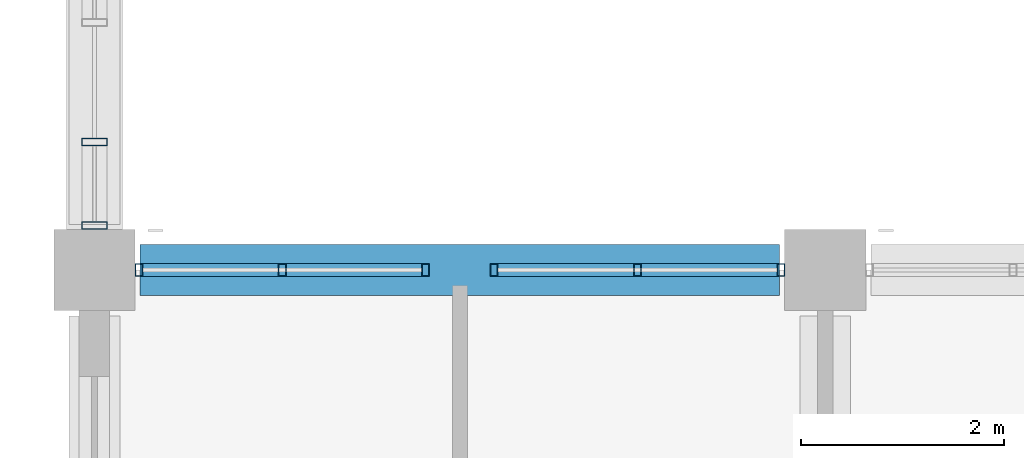
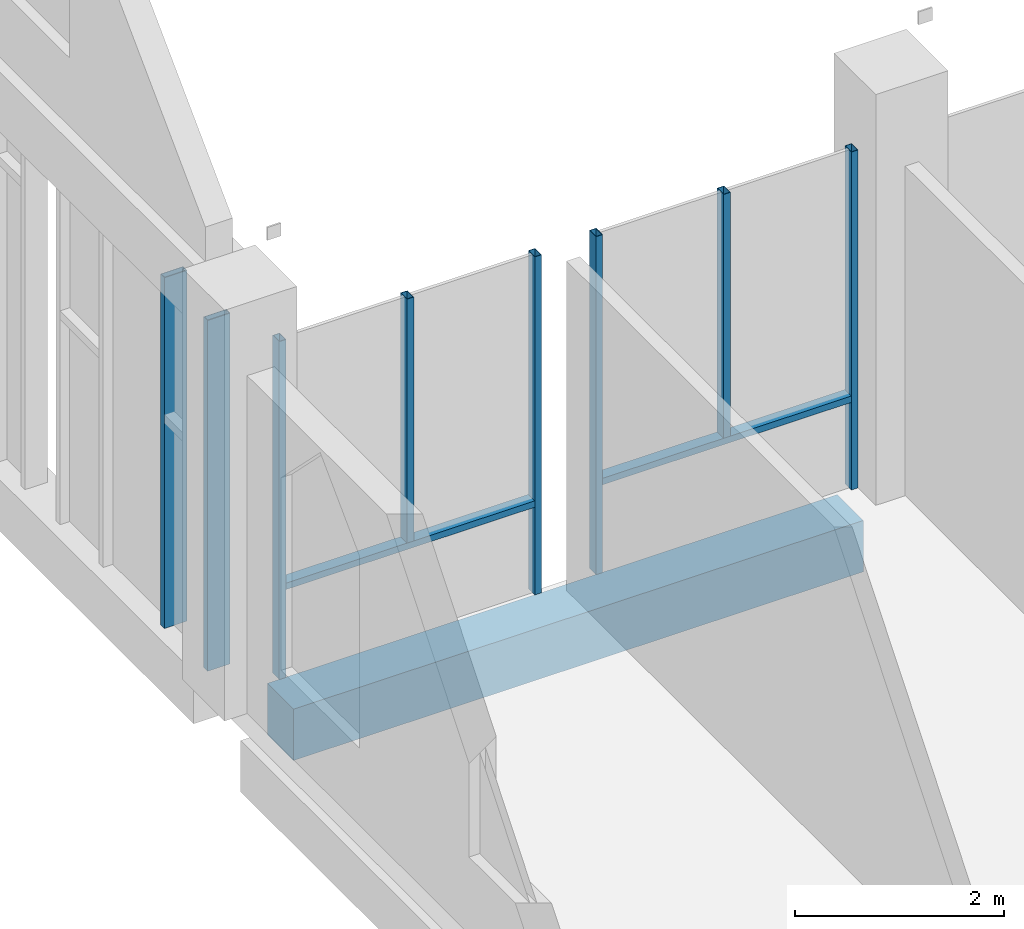
# One storey, part 2 of 31: 10 members, 1 beam, 3 elements without a shape of their own.
"""IFC4 building model written with IfcOpenShell, lengths in metres."""

from ifc_helpers import new_model, si_unit, direction, frame, origin, origin_2d, place, context, subcontext, project, spatial, rectangle, hollow_rectangle, extrude, material, material_profile, profile_set, type_object, element, aggregate, save


model = new_model("IFC4")

# Units and contexts
model_context = context("Model", 3, precision=1e-05, world=origin(), true_north=direction((0.0, 1.0)))
body_context = subcontext(model_context, "Body", "Model", "MODEL_VIEW")
ifc_project = project(units=[si_unit("LENGTHUNIT", "METRE"), si_unit("AREAUNIT", "SQUARE_METRE"), si_unit("VOLUMEUNIT", "CUBIC_METRE"), si_unit("PLANEANGLEUNIT", "RADIAN"), si_unit("MASSUNIT", "GRAM", prefix="KILO")], contexts=[model_context])

# Site, building, storey
site_placement = place(None, origin())
site = spatial("IfcSite", under=ifc_project, at=site_placement, CompositionType="ELEMENT")
building_placement = place(site_placement, origin())
building = spatial("IfcBuilding", under=site, at=building_placement, Name="Silangan Lancet Faculty of Sciences", CompositionType="ELEMENT")
storey_placement = place(building_placement, frame((0.0, 0.0, 36.0)))
storey = spatial("IfcBuildingStorey", under=building, at=storey_placement, Name="L07", CompositionType="ELEMENT", Elevation=36.0)

# Beam
ifc_material_1 = material(Name="Concrete C40/50", Category="concrete")
ifc_material_profile_1 = material_profile(ifc_material_1, rectangle(XDim=0.5, YDim=0.60009765625, at=origin_2d()), Name="RC 500x600")
ifc_profile_set_1 = profile_set([ifc_material_profile_1], Name="Concrete C40/50")
beam_type = type_object("IfcBeamType", Name="BEAM RC 500x600", PredefinedType="BEAM", material=ifc_profile_set_1)
beam_placement = place(storey_placement, frame((0.449951171875, 21.60009765625, -0.550048828125), z_axis=(1.0, 0.0, 0.0), x_axis=(0.0, 1.0, 0.0)))
element("IfcBeam", 1, at=beam_placement, inside=storey, type_object=beam_type, Name="BM-L07-1D-2D", PredefinedType="BEAM", context=body_context, shape_type="SweptSolid", body=[
    extrude(rectangle(XDim=0.5, YDim=0.60009765625, at=origin_2d()), origin(), (0.0, 0.0, 1.0), 6.300048828125),
])

# Curtain wall, members
ifc_material_2 = material(Name="Aluminium framed curtain wall with insulated glass", Category="aluminium")
curtain_wall_type_1 = type_object("IfcCurtainWallType", Name="CW2 Atrium fire-resisting screen", PredefinedType="NOTDEFINED", material=ifc_material_2)
curtain_wall_1_placement = place(storey_placement, origin())
curtain_wall_1 = element("IfcCurtainWall", 2, at=curtain_wall_1_placement, inside=storey, type_object=curtain_wall_type_1, Name="CW2 Atrium south L07 bay 5", PredefinedType="NOTDEFINED")
ifc_material_3 = material(Name="Steel S355J2H", Category="steel")
ifc_material_profile_2 = material_profile(ifc_material_3, hollow_rectangle(XDim=0.074951171875, YDim=0.125, WallThickness=0.0048828125, at=origin_2d()), Name="ST BOX 75x125x5")
ifc_profile_set_2 = profile_set([ifc_material_profile_2], Name="Steel S355J2H")
member_type_1 = type_object("IfcMemberType", Name="CM2 Mullion 75x125", PredefinedType="MULLION", material=ifc_profile_set_2)
member_1_placement = place(storey_placement, frame((6.762451171875, 21.60009765625, 0.0), z_axis=(0.0, 0.0, 1.0), x_axis=(-1.0, 0.0, 0.0)))
member_1 = element("IfcMember", 3, at=member_1_placement, type_object=member_type_1, Name="CW2 Atrium south L07 bay 5 mullion 1", PredefinedType="MULLION", context=body_context, shape_type="SweptSolid", body=[
    extrude(hollow_rectangle(XDim=0.074951171875, YDim=0.125, WallThickness=0.0048828125, at=origin_2d()), origin(), (0.0, 0.0, 1.0), 3.949951171875),
])
member_2_placement = place(storey_placement, frame((3.9375, 21.60009765625, 0.0), z_axis=(0.0, 0.0, 1.0), x_axis=(-1.0, 0.0, 0.0)))
member_2 = element("IfcMember", 4, at=member_2_placement, type_object=member_type_1, Name="CW2 Atrium south L07 bay 5 mullion 2", PredefinedType="MULLION", context=body_context, shape_type="SweptSolid", body=[
    extrude(hollow_rectangle(XDim=0.074951171875, YDim=0.125, WallThickness=0.0048828125, at=origin_2d()), origin(), (0.0, 0.0, 1.0), 3.949951171875),
])
member_3_placement = place(storey_placement, frame((5.35009765625, 21.60009765625, 1.10009765625), z_axis=(0.0, 0.0, 1.0), x_axis=(-1.0, 0.0, 0.0)))
member_3 = element("IfcMember", 5, at=member_3_placement, type_object=member_type_1, Name="CW2 Atrium south L07 bay 5 mullion 3", PredefinedType="MULLION", context=body_context, shape_type="SweptSolid", body=[
    extrude(hollow_rectangle(XDim=0.074951171875, YDim=0.125, WallThickness=0.0048828125, at=origin_2d()), origin(), (0.0, 0.0, 1.0), 2.849853515625),
])

curtain_wall_2_placement = place(storey_placement, origin())
curtain_wall_2 = element("IfcCurtainWall", 6, at=curtain_wall_2_placement, inside=storey, type_object=curtain_wall_type_1, Name="CW2 Atrium south L07 bay 6", PredefinedType="NOTDEFINED")
member_4_placement = place(storey_placement, frame((3.2626953125, 21.60009765625, 0.0), z_axis=(0.0, 0.0, 1.0), x_axis=(-1.0, 0.0, 0.0)))
member_4 = element("IfcMember", 7, at=member_4_placement, type_object=member_type_1, Name="CW2 Atrium south L07 bay 6 mullion 1", PredefinedType="MULLION", context=body_context, shape_type="SweptSolid", body=[
    extrude(hollow_rectangle(XDim=0.074951171875, YDim=0.125, WallThickness=0.0048828125, at=origin_2d()), origin(), (0.0, 0.0, 1.0), 3.949951171875),
])
member_5_placement = place(storey_placement, frame((0.4375, 21.60009765625, 0.0), z_axis=(0.0, 0.0, 1.0), x_axis=(-1.0, 0.0, 0.0)))
member_5 = element("IfcMember", 8, at=member_5_placement, type_object=member_type_1, Name="CW2 Atrium south L07 bay 6 mullion 2", PredefinedType="MULLION", context=body_context, shape_type="SweptSolid", body=[
    extrude(hollow_rectangle(XDim=0.074951171875, YDim=0.125, WallThickness=0.0048828125, at=origin_2d()), origin(), (0.0, 0.0, 1.0), 3.949951171875),
])
member_6_placement = place(storey_placement, frame((1.85009765625, 21.60009765625, 1.10009765625), z_axis=(0.0, 0.0, 1.0), x_axis=(-1.0, 0.0, 0.0)))
member_6 = element("IfcMember", 9, at=member_6_placement, type_object=member_type_1, Name="CW2 Atrium south L07 bay 6 mullion 3", PredefinedType="MULLION", context=body_context, shape_type="SweptSolid", body=[
    extrude(hollow_rectangle(XDim=0.074951171875, YDim=0.125, WallThickness=0.0048828125, at=origin_2d()), origin(), (0.0, 0.0, 1.0), 2.849853515625),
])

ifc_material_4 = material(Name="Aluminium framed curtain wall with insulated glass", Category="aluminium")
curtain_wall_type_2 = type_object("IfcCurtainWallType", Name="CW3 West stepped lancet window", PredefinedType="NOTDEFINED", material=ifc_material_4)
curtain_wall_3_placement = place(storey_placement, origin())
curtain_wall_3 = element("IfcCurtainWall", 10, at=curtain_wall_3_placement, inside=storey, type_object=curtain_wall_type_2, Name="CW3 West window L07 bay 1", PredefinedType="NOTDEFINED")
ifc_material_5 = material(Name="Aluminium 6063-T6 extrusion", Category="aluminium")
ifc_material_profile_3 = material_profile(ifc_material_5, hollow_rectangle(XDim=0.074951171875, YDim=0.25, WallThickness=0.006103515625, at=origin_2d()), Name="AL BOX 75x250x6")
ifc_profile_set_3 = profile_set([ifc_material_profile_3], Name="Aluminium 6063-T6 extrusion")
member_type_2 = type_object("IfcMemberType", Name="CM3 Mullion 75x250", PredefinedType="MULLION", material=ifc_profile_set_3)
member_7_placement = place(storey_placement, frame((0.0, 22.03759765625, 0.0), z_axis=(0.0, 0.0, 1.0), x_axis=(0.0, 1.0, 0.0)))
member_7 = element("IfcMember", 11, at=member_7_placement, type_object=member_type_2, Name="CW3 West window L07 bay 1 mullion 1", PredefinedType="MULLION", context=body_context, shape_type="SweptSolid", body=[
    extrude(hollow_rectangle(XDim=0.074951171875, YDim=0.25, WallThickness=0.006103515625, at=origin_2d()), origin(), (0.0, 0.0, 1.0), 4.10009765625),
])
member_8_placement = place(storey_placement, frame((0.0, 22.862548828125, 0.0), z_axis=(0.0, 0.0, 1.0), x_axis=(0.0, 1.0, 0.0)))
member_8 = element("IfcMember", 12, at=member_8_placement, type_object=member_type_2, Name="CW3 West window L07 bay 1 mullion 3", PredefinedType="MULLION", context=body_context, shape_type="SweptSolid", body=[
    extrude(hollow_rectangle(XDim=0.074951171875, YDim=0.25, WallThickness=0.006103515625, at=origin_2d()), origin(), (0.0, 0.0, 1.0), 4.10009765625),
])
aggregate(curtain_wall_3, [member_7, member_8])

# Member
ifc_material_6 = material(Name="Steel S355J2H", Category="steel")
ifc_material_profile_4 = material_profile(ifc_material_6, hollow_rectangle(XDim=0.125, YDim=0.074951171875, WallThickness=0.0048828125, at=origin_2d()), Name="ST BOX 125x75x5")
ifc_profile_set_4 = profile_set([ifc_material_profile_4], Name="Steel S355J2H")
member_type_3 = type_object("IfcMemberType", Name="CT2 Transom 125x75", PredefinedType="USERDEFINED", material=ifc_profile_set_4)
member_9_placement = place(storey_placement, frame((6.72509765625, 21.60009765625, 1.0625), z_axis=(-1.0, 0.0, 0.0), x_axis=(0.0, -1.0, 0.0)))
member_9 = element("IfcMember", 13, at=member_9_placement, type_object=member_type_3, Name="CW2 Atrium south L07 bay 5 transom 1", ObjectType="TRANSOM", PredefinedType="USERDEFINED", context=body_context, shape_type="SweptSolid", body=[
    extrude(hollow_rectangle(XDim=0.125, YDim=0.074951171875, WallThickness=0.0048828125, at=origin_2d()), origin(), (0.0, 0.0, 1.0), 2.75),
])

aggregate(curtain_wall_1, [member_1, member_2, member_3, member_9])

member_10_placement = place(storey_placement, frame((3.22509765625, 21.60009765625, 1.0625), z_axis=(-1.0, 0.0, 0.0), x_axis=(0.0, -1.0, 0.0)))
member_10 = element("IfcMember", 14, at=member_10_placement, type_object=member_type_3, Name="CW2 Atrium south L07 bay 6 transom 1", ObjectType="TRANSOM", PredefinedType="USERDEFINED", context=body_context, shape_type="SweptSolid", body=[
    extrude(hollow_rectangle(XDim=0.125, YDim=0.074951171875, WallThickness=0.0048828125, at=origin_2d()), origin(), (0.0, 0.0, 1.0), 2.75),
])

aggregate(curtain_wall_2, [member_4, member_5, member_6, member_10])

save(model, "model.ifc")
